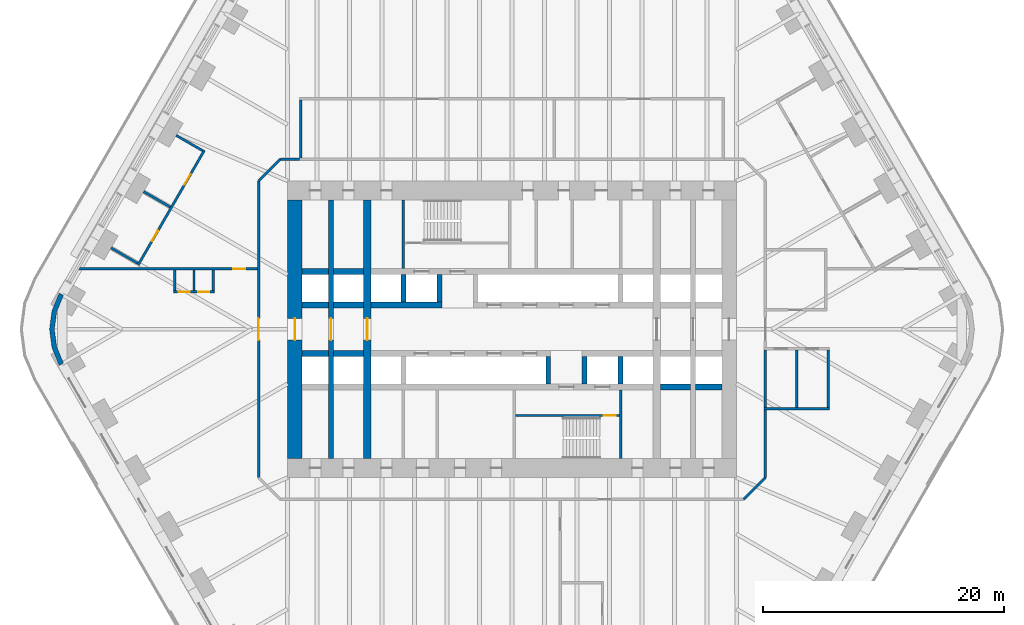
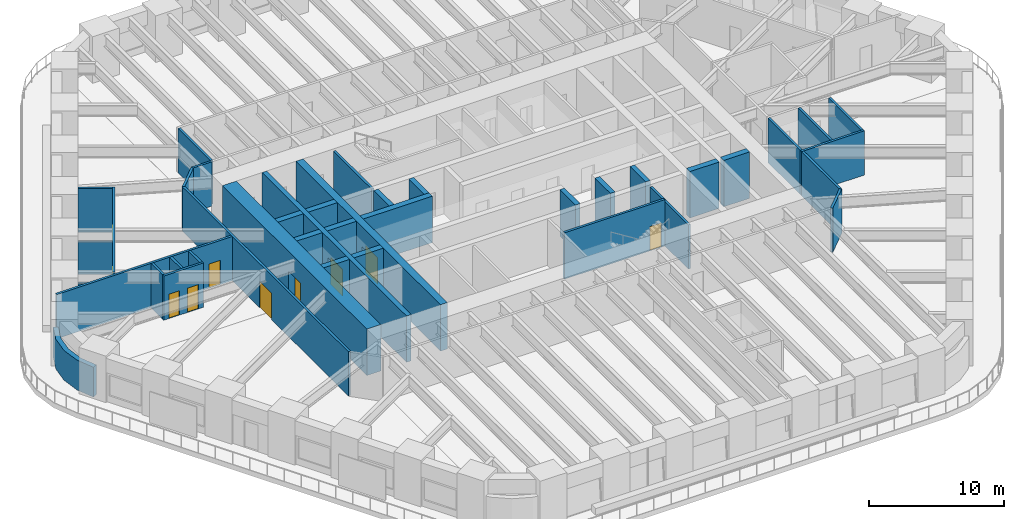
# One storey, part 17 of 23: 40 walls, 10 doors, 10 openings.
"""IFC4 building model written with IfcOpenShell, lengths in metres."""

from ifc_helpers import new_model, si_unit, direction, frame, frame_2d, origin, place, context, subcontext, project, spatial, polyline, rectangle, outline, extrude, material, layer, layer_set, type_object, element, fill, save


model = new_model("IFC4")

# Units and contexts
model_context = context("Model", 3, precision=1e-05, world=origin(), true_north=direction((0.0, 1.0)))
body_context = subcontext(model_context, "Body", "Model", "MODEL_VIEW")
ifc_project = project(units=[si_unit("LENGTHUNIT", "METRE"), si_unit("AREAUNIT", "SQUARE_METRE"), si_unit("VOLUMEUNIT", "CUBIC_METRE"), si_unit("PLANEANGLEUNIT", "RADIAN"), si_unit("MASSUNIT", "GRAM", prefix="KILO")], contexts=[model_context])

# Site, building, storey
site_placement = place(None, origin())
site = spatial("IfcSite", under=ifc_project, at=site_placement, CompositionType="ELEMENT")
building_placement = place(site_placement, origin())
building = spatial("IfcBuilding", under=site, at=building_placement, Name="Tarfa Lantern Tower", CompositionType="ELEMENT")
storey_placement = place(building_placement, frame((0.0, 0.0, 40.300048828125)))
storey = spatial("IfcBuildingStorey", under=building, at=storey_placement, Name="L08", CompositionType="ELEMENT", Elevation=40.300048828125)

# Walls
ifc_material_1 = material(Name="Limestone cladding on blockwork", Category="masonry")
ifc_layer_1 = layer(ifc_material_1, 0.39990234375)
ifc_layer_set_1 = layer_set([ifc_layer_1], Name="EW2 CURVED STONE CORNER 400")
wall_type_1 = type_object("IfcWallType", Name="EW2 CURVED STONE CORNER 400", PredefinedType="SOLIDWALL", material=ifc_layer_set_1)
wall_1_placement = place(storey_placement, origin())
element("IfcWall", 1, at=wall_1_placement, inside=storey, type_object=wall_type_1, Name="Stone corner NW-SW", PredefinedType="SOLIDWALL", context=body_context, shape_type="SweptSolid", body=[
    extrude(outline(polyline([(-37.52783203125, 3.0), (-38.127197265625, 1.552978515625), (-38.33154296875, 0.0), (-38.127197265625, -1.552978515625), (-37.52783203125, -3.0), (-37.181396484375, -2.800048828125), (-37.74072265625, -1.449462890625), (-37.931640625, 0.0), (-37.74072265625, 1.449462890625), (-37.181396484375, 2.800048828125), (-37.52783203125, 3.0)])), origin(), (0.0, 0.0, 1.0), 2.699951171875),
])
ifc_material_2 = material(Name="Concrete blockwork", Category="masonry")
ifc_layer_2 = layer(ifc_material_2, 0.199951171875)
ifc_layer_set_2 = layer_set([ifc_layer_2], Name="IW1 BLOCKWORK PARTITION 200 EI 120")
wall_type_2 = type_object("IfcWallType", Name="IW1 BLOCKWORK PARTITION 200 EI 120", PredefinedType="PARTITIONING", material=ifc_layer_set_2)
for number, where, z_axis, x_axis, name in (
    (2, (-9.0, 5.050048828125, 0.0), (0.0, 0.0, 1.0), (0.0, 1.0, 0.0), "Core partition"),
    (3, (9.0, -5.050048828125, 0.0), (0.0, 0.0, 1.0), (0.0, -1.0, 0.0), "Core partition"),
):
    element("IfcWall", number, at=place(storey_placement, frame(where, z_axis=z_axis, x_axis=x_axis)), inside=storey, type_object=wall_type_2, Name=name, PredefinedType="PARTITIONING", context=body_context, shape_type="SweptSolid", body=[
        extrude(rectangle(XDim=5.64990234375, YDim=0.199951171875, at=frame_2d((2.824951171875, 0.0))), origin(), (0.0, 0.0, 1.0), 4.0),
    ])
ifc_material_3 = material(Name="Gypsum board on steel studs", Category="steel")
ifc_layer_3 = layer(ifc_material_3, 0.2099609375)
ifc_layer_set_3 = layer_set([ifc_layer_3], Name="IW2 ACOUSTIC PARTITION 200")
wall_type_3 = type_object("IfcWallType", Name="IW2 ACOUSTIC PARTITION 200", PredefinedType="PARTITIONING", material=ifc_layer_set_3)
wall_2_placement = place(storey_placement, frame((-17.5, 14.199951171875, 0.0), z_axis=(0.0, 0.0, 1.0), x_axis=(0.0, 1.0, 0.0)))
element("IfcWall", 4, at=wall_2_placement, inside=storey, type_object=wall_type_3, Name="Partition", PredefinedType="PARTITIONING", context=body_context, shape_type="SweptSolid", body=[
    extrude(rectangle(XDim=4.800048828125, YDim=0.199951171875, at=frame_2d((2.39990234375, 0.0))), origin(), (0.0, 0.0, 1.0), 4.0),
])

# Wall, openings, doors
wall_3_placement = place(storey_placement, frame((-25.497802734375, 14.836669921875, 0.0), z_axis=(0.0, 0.0, 1.0), x_axis=(-0.499992624997, -0.866029661703, 0.0)))
wall_3 = element("IfcWall", 5, at=wall_3_placement, inside=storey, type_object=wall_type_3, Name="Partition", PredefinedType="PARTITIONING", context=body_context, shape_type="SweptSolid", body=[
    extrude(rectangle(XDim=10.977294921875, YDim=0.199951171875, at=frame_2d((5.48876953125, 0.0))), origin(), (0.0, 0.0, 1.0), 4.0),
])
opening_1_placement = place(wall_3_placement, frame((2.294189453125, 0.0, 0.0)))
opening_1 = element("IfcOpeningElement", 6, at=opening_1_placement, cuts=wall_3, Name="Opening D35", PredefinedType="OPENING", context=body_context, shape_type="SweptSolid", body=[
    extrude(rectangle(XDim=1.0, YDim=2.199951171875, at=frame_2d((0.5, 1.10009765625))), frame((0.0, 0.10986328125, 0.0), z_axis=(0.0, -1.0, 0.0), x_axis=(1.0, 0.0, 0.0)), (0.0, 0.0, 1.0), 0.219970703125),
])
opening_2_placement = place(wall_3_placement, frame((7.682861328125, 0.0, 0.0)))
opening_2 = element("IfcOpeningElement", 7, at=opening_2_placement, cuts=wall_3, Name="Opening D36", PredefinedType="OPENING", context=body_context, shape_type="SweptSolid", body=[
    extrude(rectangle(XDim=1.0, YDim=2.199951171875, at=frame_2d((0.5, 1.10009765625))), frame((0.0, 0.10986328125, 0.0), z_axis=(0.0, -1.0, 0.0), x_axis=(1.0, 0.0, 0.0)), (0.0, 0.0, 1.0), 0.219970703125),
])
ifc_material_4 = material(Name="Timber door", Category="wood")
door_type_1 = type_object("IfcDoorType", Name="DR1 ROOM DOOR 1000x2200", OperationType="SINGLE_SWING_LEFT", PredefinedType="DOOR", material=ifc_material_4)
door_1_placement = place(opening_1_placement, frame((1.0, 0.0, 0.0), z_axis=(0.0, 0.0, 1.0), x_axis=(-1.0, 0.0, 0.0)))
door_1 = element("IfcDoor", 8, at=door_1_placement, inside=storey, type_object=door_type_1, Name="Store door", OperationType="SINGLE_SWING_LEFT", OverallHeight=2.199951171875, OverallWidth=1.0, PredefinedType="DOOR", context=body_context, shape_type="SweptSolid", body=[
    extrude(rectangle(XDim=1.0, YDim=2.199951171875, at=frame_2d((0.5, 1.10009765625))), frame((0.0, 0.02490234375, 0.0), z_axis=(0.0, -1.0, 0.0), x_axis=(1.0, 0.0, 0.0)), (0.0, 0.0, 1.0), 0.050048828125),
])
fill(opening_1, door_1)
door_2_placement = place(opening_2_placement, frame((1.0, 0.0, 0.0), z_axis=(0.0, 0.0, 1.0), x_axis=(-1.0, 0.0, 0.0)))
door_2 = element("IfcDoor", 9, at=door_2_placement, inside=storey, type_object=door_type_1, Name="Print room door", OperationType="SINGLE_SWING_RIGHT", OverallHeight=2.199951171875, OverallWidth=1.0, PredefinedType="DOOR", context=body_context, shape_type="SweptSolid", body=[
    extrude(rectangle(XDim=1.0, YDim=2.199951171875, at=frame_2d((0.5, 1.10009765625))), frame((0.0, 0.02490234375, 0.0), z_axis=(0.0, -1.0, 0.0), x_axis=(1.0, 0.0, 0.0)), (0.0, 0.0, 1.0), 0.050048828125),
])
fill(opening_2, door_2)

# Walls
wall_4_placement = place(storey_placement, frame((-25.63427734375, 14.800048828125, 0.0), z_axis=(0.0, 0.0, 1.0), x_axis=(-0.866054858364, 0.499948979701, 0.0)))
element("IfcWall", 10, at=wall_4_placement, inside=storey, type_object=wall_type_3, Name="Partition", PredefinedType="PARTITIONING", context=body_context, shape_type="SweptSolid", body=[
    extrude(rectangle(XDim=2.550048828125, YDim=0.199951171875, at=frame_2d((1.27490234375, 0.0))), origin(), (0.0, 0.0, 1.0), 4.0),
])
wall_5_placement = place(storey_placement, frame((-28.32861328125, 10.13330078125, 0.0), z_axis=(0.0, 0.0, 1.0), x_axis=(-0.866013403995, 0.500020783669, 0.0)))
element("IfcWall", 11, at=wall_5_placement, inside=storey, type_object=wall_type_3, Name="Partition", PredefinedType="PARTITIONING", context=body_context, shape_type="SweptSolid", body=[
    extrude(rectangle(XDim=2.55029296875, YDim=0.199951171875, at=frame_2d((1.275146484375, 0.0))), origin(), (0.0, 0.0, 1.0), 2.94384765625),
])
wall_6_placement = place(storey_placement, frame((-31.02294921875, 5.466552734375, 0.0), z_axis=(0.0, 0.0, 1.0), x_axis=(-0.865989465428, 0.500062241894, 0.0)))
element("IfcWall", 12, at=wall_6_placement, inside=storey, type_object=wall_type_3, Name="Partition", PredefinedType="PARTITIONING", context=body_context, shape_type="SweptSolid", body=[
    extrude(rectangle(XDim=2.550048828125, YDim=0.199951171875, at=frame_2d((1.27490234375, 0.0))), origin(), (0.0, 0.0, 1.0), 2.94384765625),
])
wall_7_placement = place(storey_placement, frame((20.89990234375, -6.60009765625, 0.0), z_axis=(0.0, 0.0, 1.0), x_axis=(1.0, 0.0, 0.0)))
element("IfcWall", 13, at=wall_7_placement, inside=storey, type_object=wall_type_3, Name="Partition", PredefinedType="PARTITIONING", context=body_context, shape_type="SweptSolid", body=[
    extrude(rectangle(XDim=5.400146484375, YDim=0.199951171875, at=frame_2d((2.7001953125, 0.0))), origin(), (0.0, 0.0, 1.0), 4.0),
])
for number, where, z_axis, x_axis, name in (
    (14, (21.0, -1.699951171875, 0.0), (0.0, 0.0, 1.0), (0.0, -1.0, 0.0), "Partition"),
    (15, (23.60009765625, -1.699951171875, 0.0), (0.0, 0.0, 1.0), (0.0, -1.0, 0.0), "Partition"),
    (16, (26.199951171875, -1.699951171875, 0.0), (0.0, 0.0, 1.0), (0.0, -1.0, 0.0), "Partition"),
):
    element("IfcWall", number, at=place(storey_placement, frame(where, z_axis=z_axis, x_axis=x_axis)), inside=storey, type_object=wall_type_3, Name=name, PredefinedType="PARTITIONING", context=body_context, shape_type="SweptSolid", body=[
        extrude(rectangle(XDim=4.800048828125, YDim=0.199951171875, at=frame_2d((2.39990234375, 0.0))), origin(), (0.0, 0.0, 1.0), 4.0),
    ])
wall_8_placement = place(storey_placement, frame((-19.199951171875, 14.10009765625, 0.0), z_axis=(0.0, 0.0, 1.0), x_axis=(1.0, 0.0, 0.0)))
element("IfcWall", 17, at=wall_8_placement, inside=storey, type_object=wall_type_3, Name="Partition", PredefinedType="PARTITIONING", context=body_context, shape_type="SweptSolid", body=[
    extrude(rectangle(XDim=1.599853515625, YDim=0.199951171875, at=frame_2d((0.7998046875, 0.0))), origin(), (0.0, 0.0, 1.0), 4.0),
])
wall_9_placement = place(storey_placement, frame((21.0, -6.700927734375, 0.0), z_axis=(0.0, 0.0, 1.0), x_axis=(0.0, -1.0, 0.0)))
element("IfcWall", 18, at=wall_9_placement, inside=storey, type_object=wall_type_3, Name="Partition", PredefinedType="PARTITIONING", context=body_context, shape_type="SweptSolid", body=[
    extrude(rectangle(XDim=5.59912109375, YDim=0.199951171875, at=frame_2d((2.799560546875, 0.0))), origin(), (0.0, 0.0, 1.0), 4.0),
])
wall_10_placement = place(storey_placement, frame((21.0, -12.300048828125, 0.0), z_axis=(0.0, 0.0, 1.0), x_axis=(-0.707106781187, -0.707106781187, 0.0)))
element("IfcWall", 19, at=wall_10_placement, inside=storey, type_object=wall_type_3, Name="Partition", PredefinedType="PARTITIONING", context=body_context, shape_type="SweptSolid", body=[
    extrude(rectangle(XDim=2.545654296875, YDim=0.199951171875, at=frame_2d((1.27294921875, 0.0))), origin(), (0.0, 0.0, 1.0), 4.0),
])

# Wall, opening, door
wall_11_placement = place(storey_placement, frame((-21.0, -12.300048828125, 0.0), z_axis=(0.0, 0.0, 1.0), x_axis=(0.0, 1.0, 0.0)))
wall_11 = element("IfcWall", 20, at=wall_11_placement, inside=storey, type_object=wall_type_3, Name="Partition", PredefinedType="PARTITIONING", context=body_context, shape_type="SweptSolid", body=[
    extrude(rectangle(XDim=24.60009765625, YDim=0.199951171875, at=frame_2d((12.300048828125, 0.0))), origin(), (0.0, 0.0, 1.0), 4.0),
])
opening_3_placement = place(wall_11_placement, frame((11.39990234375, 0.0, 0.0)))
opening_3 = element("IfcOpeningElement", 21, at=opening_3_placement, cuts=wall_11, Name="Opening D45", PredefinedType="OPENING", context=body_context, shape_type="SweptSolid", body=[
    extrude(rectangle(XDim=1.800048828125, YDim=2.39990234375, at=frame_2d((0.89990234375, 1.199951171875))), frame((0.0, 0.10986328125, 0.0), z_axis=(0.0, -1.0, 0.0), x_axis=(1.0, 0.0, 0.0)), (0.0, 0.0, 1.0), 0.219970703125),
])
door_type_2 = type_object("IfcDoorType", Name="DR2 ROOM DOOR 1800x2400", OperationType="DOUBLE_DOOR_SINGLE_SWING", PredefinedType="DOOR", material=ifc_material_4)
door_3_placement = place(opening_3_placement, origin())
door_3 = element("IfcDoor", 22, at=door_3_placement, inside=storey, type_object=door_type_2, Name="Corridor door", OperationType="DOUBLE_DOOR_SINGLE_SWING", OverallHeight=2.39990234375, OverallWidth=1.800048828125, PredefinedType="DOOR", context=body_context, shape_type="SweptSolid", body=[
    extrude(rectangle(XDim=1.800048828125, YDim=2.39990234375, at=frame_2d((0.89990234375, 1.199951171875))), frame((0.0, 0.02490234375, 0.0), z_axis=(0.0, -1.0, 0.0), x_axis=(1.0, 0.0, 0.0)), (0.0, 0.0, 1.0), 0.050048828125),
])
fill(opening_3, door_3)

# Wall
wall_12_placement = place(storey_placement, frame((-21.0, 12.300048828125, 0.0), z_axis=(0.0, 0.0, 1.0), x_axis=(0.707106781187, 0.707106781187, 0.0)))
element("IfcWall", 23, at=wall_12_placement, inside=storey, type_object=wall_type_3, Name="Partition", PredefinedType="PARTITIONING", context=body_context, shape_type="SweptSolid", body=[
    extrude(rectangle(XDim=2.545654296875, YDim=0.199951171875, at=frame_2d((1.27294921875, 0.0))), origin(), (0.0, 0.0, 1.0), 4.0),
])

# Wall, opening, door
wall_13_placement = place(storey_placement, frame((-21.10009765625, 5.0, 0.0), z_axis=(0.0, 0.0, 1.0), x_axis=(-1.0, 0.0, 0.0)))
wall_13 = element("IfcWall", 24, at=wall_13_placement, inside=storey, type_object=wall_type_3, Name="Partition", PredefinedType="PARTITIONING", context=body_context, shape_type="SweptSolid", body=[
    extrude(rectangle(XDim=15.018798828125, YDim=0.199951171875, at=frame_2d((7.50927734375, 0.0))), origin(), (0.0, 0.0, 1.0), 4.0),
])
opening_4_placement = place(wall_13_placement, frame((1.001953125, 0.0, 0.0)))
opening_4 = element("IfcOpeningElement", 25, at=opening_4_placement, cuts=wall_13, Name="Opening D48", PredefinedType="OPENING", context=body_context, shape_type="SweptSolid", body=[
    extrude(rectangle(XDim=1.0, YDim=2.199951171875, at=frame_2d((0.5, 1.10009765625))), frame((0.0, 0.10986328125, 0.0), z_axis=(0.0, -1.0, 0.0), x_axis=(1.0, 0.0, 0.0)), (0.0, 0.0, 1.0), 0.219970703125),
])
door_4_placement = place(opening_4_placement, origin())
door_4 = element("IfcDoor", 26, at=door_4_placement, inside=storey, type_object=door_type_1, Name="Zone door", OperationType="SINGLE_SWING_RIGHT", OverallHeight=2.199951171875, OverallWidth=1.0, PredefinedType="DOOR", context=body_context, shape_type="SweptSolid", body=[
    extrude(rectangle(XDim=1.0, YDim=2.199951171875, at=frame_2d((0.5, 1.10009765625))), frame((0.0, 0.02490234375, 0.0), z_axis=(0.0, -1.0, 0.0), x_axis=(1.0, 0.0, 0.0)), (0.0, 0.0, 1.0), 0.050048828125),
])
fill(opening_4, door_4)

# Wall, openings, doors
wall_14_placement = place(storey_placement, frame((-24.65673828125, 3.10009765625, 0.0), z_axis=(0.0, 0.0, 1.0), x_axis=(-1.0, 0.0, 0.0)))
wall_14 = element("IfcWall", 27, at=wall_14_placement, inside=storey, type_object=wall_type_3, Name="Partition", PredefinedType="PARTITIONING", context=body_context, shape_type="SweptSolid", body=[
    extrude(rectangle(XDim=3.39990234375, YDim=0.199951171875, at=frame_2d((1.699951171875, 0.0))), origin(), (0.0, 0.0, 1.0), 4.0),
])
opening_5_placement = place(wall_14_placement, frame((0.449951171875, 0.0, 0.0)))
opening_5 = element("IfcOpeningElement", 28, at=opening_5_placement, cuts=wall_14, Name="Opening D41", PredefinedType="OPENING", context=body_context, shape_type="SweptSolid", body=[
    extrude(rectangle(XDim=0.89990234375, YDim=2.199951171875, at=frame_2d((0.449951171875, 1.10009765625))), frame((0.0, 0.10986328125, 0.0), z_axis=(0.0, -1.0, 0.0), x_axis=(1.0, 0.0, 0.0)), (0.0, 0.0, 1.0), 0.219970703125),
])
opening_6_placement = place(wall_14_placement, frame((2.050048828125, 0.0, 0.0)))
opening_6 = element("IfcOpeningElement", 29, at=opening_6_placement, cuts=wall_14, Name="Opening D42", PredefinedType="OPENING", context=body_context, shape_type="SweptSolid", body=[
    extrude(rectangle(XDim=0.89990234375, YDim=2.199951171875, at=frame_2d((0.449951171875, 1.10009765625))), frame((0.0, 0.10986328125, 0.0), z_axis=(0.0, -1.0, 0.0), x_axis=(1.0, 0.0, 0.0)), (0.0, 0.0, 1.0), 0.219970703125),
])
door_type_3 = type_object("IfcDoorType", Name="DR3 ROOM DOOR 900x2200", OperationType="SINGLE_SWING_LEFT", PredefinedType="DOOR", material=ifc_material_4)
door_5_placement = place(opening_5_placement, frame((0.89990234375, 0.0, 0.0), z_axis=(0.0, 0.0, 1.0), x_axis=(-1.0, 0.0, 0.0)))
door_5 = element("IfcDoor", 30, at=door_5_placement, inside=storey, type_object=door_type_3, Name="Phone booth door", OperationType="SINGLE_SWING_LEFT", OverallHeight=2.199951171875, OverallWidth=0.89990234375, PredefinedType="DOOR", context=body_context, shape_type="SweptSolid", body=[
    extrude(rectangle(XDim=0.89990234375, YDim=2.199951171875, at=frame_2d((0.449951171875, 1.10009765625))), frame((0.0, 0.02490234375, 0.0), z_axis=(0.0, -1.0, 0.0), x_axis=(1.0, 0.0, 0.0)), (0.0, 0.0, 1.0), 0.050048828125),
])
fill(opening_5, door_5)
door_6_placement = place(opening_6_placement, frame((0.89990234375, 0.0, 0.0), z_axis=(0.0, 0.0, 1.0), x_axis=(-1.0, 0.0, 0.0)))
door_6 = element("IfcDoor", 31, at=door_6_placement, inside=storey, type_object=door_type_3, Name="Phone booth door", OperationType="SINGLE_SWING_RIGHT", OverallHeight=2.199951171875, OverallWidth=0.89990234375, PredefinedType="DOOR", context=body_context, shape_type="SweptSolid", body=[
    extrude(rectangle(XDim=0.89990234375, YDim=2.199951171875, at=frame_2d((0.449951171875, 1.10009765625))), frame((0.0, 0.02490234375, 0.0), z_axis=(0.0, -1.0, 0.0), x_axis=(1.0, 0.0, 0.0)), (0.0, 0.0, 1.0), 0.050048828125),
])
fill(opening_6, door_6)

# Walls
for number, where, z_axis, x_axis, name in (
    (32, (-24.756591796875, 4.89990234375, 0.0), (0.0, 0.0, 1.0), (0.0, -1.0, 0.0), "Partition"),
    (33, (-26.356689453125, 4.89990234375, 0.0), (0.0, 0.0, 1.0), (0.0, -1.0, 0.0), "Partition"),
    (34, (-27.95654296875, 4.89990234375, 0.0), (0.0, 0.0, 1.0), (0.0, -1.0, 0.0), "Partition"),
):
    element("IfcWall", number, at=place(storey_placement, frame(where, z_axis=z_axis, x_axis=x_axis)), inside=storey, type_object=wall_type_3, Name=name, PredefinedType="PARTITIONING", context=body_context, shape_type="SweptSolid", body=[
        extrude(rectangle(XDim=1.699951171875, YDim=0.199951171875, at=frame_2d((0.85009765625, 0.0))), origin(), (0.0, 0.0, 1.0), 4.0),
    ])

# Wall, opening, door
ifc_material_5 = material(Name="Concrete C80/95", Category="concrete")
ifc_layer_4 = layer(ifc_material_5, 1.199951171875)
ifc_layer_set_4 = layer_set([ifc_layer_4], Name="SW1 CORE WALL 1200")
wall_type_4 = type_object("IfcWallType", Name="SW1 CORE WALL 1200", PredefinedType="SHEAR", material=ifc_layer_set_4)
wall_15_placement = place(storey_placement, frame((-18.0, 10.699951171875, 0.0), z_axis=(0.0, 0.0, 1.0), x_axis=(0.0, -1.0, 0.0)))
wall_15 = element("IfcWall", 35, at=wall_15_placement, inside=storey, type_object=wall_type_4, Name="Core wall W", PredefinedType="SHEAR", context=body_context, shape_type="SweptSolid", body=[
    extrude(rectangle(XDim=21.39990234375, YDim=1.199951171875, at=frame_2d((10.699951171875, 0.0))), origin(), (0.0, 0.0, 1.0), 4.199951171875),
])
opening_7_placement = place(wall_15_placement, frame((9.800048828125, 0.0, 0.0)))
opening_7 = element("IfcOpeningElement", 36, at=opening_7_placement, cuts=wall_15, Name="Opening D16", PredefinedType="OPENING", context=body_context, shape_type="SweptSolid", body=[
    extrude(rectangle(XDim=1.800048828125, YDim=2.39990234375, at=frame_2d((0.89990234375, 1.199951171875))), frame((0.0, 0.60986328125, 0.0), z_axis=(0.0, -1.0, 0.0), x_axis=(1.0, 0.0, 0.0)), (0.0, 0.0, 1.0), 1.219970703125),
])
ifc_material_6 = material(Name="Steel fire door", Category="steel")
door_type_4 = type_object("IfcDoorType", Name="DL1 LOBBY DOOR 1800x2400", OperationType="DOUBLE_DOOR_SINGLE_SWING", PredefinedType="DOOR", material=ifc_material_6)
door_7_placement = place(opening_7_placement, frame((1.800048828125, 0.0, 0.0), z_axis=(0.0, 0.0, 1.0), x_axis=(-1.0, 0.0, 0.0)))
door_7 = element("IfcDoor", 37, at=door_7_placement, inside=storey, type_object=door_type_4, Name="Lift lobby door", OperationType="DOUBLE_DOOR_SINGLE_SWING", OverallHeight=2.39990234375, OverallWidth=1.800048828125, PredefinedType="DOOR", context=body_context, shape_type="SweptSolid", body=[
    extrude(rectangle(XDim=1.800048828125, YDim=2.39990234375, at=frame_2d((0.89990234375, 1.199951171875))), frame((0.0, 0.02490234375, 0.0), z_axis=(0.0, -1.0, 0.0), x_axis=(1.0, 0.0, 0.0)), (0.0, 0.0, 1.0), 0.050048828125),
])
fill(opening_7, door_7)

ifc_layer_5 = layer(ifc_material_5, 0.199951171875)
ifc_layer_set_5 = layer_set([ifc_layer_5], Name="SW12 CORE WALL 200")
wall_type_5 = type_object("IfcWallType", Name="SW12 CORE WALL 200", PredefinedType="SHEAR", material=ifc_layer_set_5)
wall_16_placement = place(storey_placement, frame((8.89990234375, -7.14990234375, 0.0), z_axis=(0.0, 0.0, 1.0), x_axis=(-1.0, 0.0, 0.0)))
wall_16 = element("IfcWall", 38, at=wall_16_placement, inside=storey, type_object=wall_type_5, Name="Core wall stair partition S", PredefinedType="SHEAR", context=body_context, shape_type="SweptSolid", body=[
    extrude(rectangle(XDim=8.599853515625, YDim=0.199951171875, at=frame_2d((4.2998046875, 0.0))), origin(), (0.0, 0.0, 1.0), 4.199951171875),
])
opening_8_placement = place(wall_16_placement, frame((0.300048828125, 0.0, 0.0)))
opening_8 = element("IfcOpeningElement", 39, at=opening_8_placement, cuts=wall_16, Name="Opening D24", PredefinedType="OPENING", context=body_context, shape_type="SweptSolid", body=[
    extrude(rectangle(XDim=1.0, YDim=2.199951171875, at=frame_2d((0.5, 1.10009765625))), frame((0.0, 0.10986328125, 0.0), z_axis=(0.0, -1.0, 0.0), x_axis=(1.0, 0.0, 0.0)), (0.0, 0.0, 1.0), 0.219970703125),
])
door_type_5 = type_object("IfcDoorType", Name="DF2 STAIR DOOR 1000x2200", OperationType="SINGLE_SWING_LEFT", PredefinedType="DOOR", material=ifc_material_6)
door_8_placement = place(opening_8_placement, origin())
door_8 = element("IfcDoor", 40, at=door_8_placement, inside=storey, type_object=door_type_5, Name="Stair door", OperationType="SINGLE_SWING_RIGHT", OverallHeight=2.199951171875, OverallWidth=1.0, PredefinedType="DOOR", context=body_context, shape_type="SweptSolid", body=[
    extrude(rectangle(XDim=1.0, YDim=2.199951171875, at=frame_2d((0.5, 1.10009765625))), frame((0.0, 0.02490234375, 0.0), z_axis=(0.0, -1.0, 0.0), x_axis=(1.0, 0.0, 0.0)), (0.0, 0.0, 1.0), 0.050048828125),
])
fill(opening_8, door_8)

# Walls
ifc_layer_6 = layer(ifc_material_5, 0.5)
ifc_layer_set_6 = layer_set([ifc_layer_6], Name="SW5 CORE WALL 500")
wall_type_6 = type_object("IfcWallType", Name="SW5 CORE WALL 500", PredefinedType="SHEAR", material=ifc_layer_set_6)
wall_17_placement = place(storey_placement, frame((-17.39990234375, 2.0, 0.0), z_axis=(0.0, 0.0, 1.0), x_axis=(1.0, 0.0, 0.0)))
element("IfcWall", 41, at=wall_17_placement, inside=storey, type_object=wall_type_6, Name="Core wall lobby west N", PredefinedType="SHEAR", context=body_context, shape_type="SweptSolid", body=[
    extrude(rectangle(XDim=2.199951171875, YDim=0.5, at=frame_2d((1.10009765625, 0.0))), origin(), (0.0, 0.0, 1.0), 4.199951171875),
])
wall_18_placement = place(storey_placement, frame((-14.800048828125, 2.0, 0.0), z_axis=(0.0, 0.0, 1.0), x_axis=(1.0, 0.0, 0.0)))
element("IfcWall", 42, at=wall_18_placement, inside=storey, type_object=wall_type_6, Name="Core wall lobby west N", PredefinedType="SHEAR", context=body_context, shape_type="SweptSolid", body=[
    extrude(rectangle(XDim=2.5, YDim=0.5, at=frame_2d((1.25, 0.0))), origin(), (0.0, 0.0, 1.0), 4.199951171875),
])
wall_19_placement = place(storey_placement, frame((-11.699951171875, 2.0, 0.0), z_axis=(0.0, 0.0, 1.0), x_axis=(1.0, 0.0, 0.0)))
element("IfcWall", 43, at=wall_19_placement, inside=storey, type_object=wall_type_6, Name="Core wall lobby west N", PredefinedType="SHEAR", context=body_context, shape_type="SweptSolid", body=[
    extrude(rectangle(XDim=5.89990234375, YDim=0.5, at=frame_2d((2.949951171875, 0.0))), origin(), (0.0, 0.0, 1.0), 4.199951171875),
])
wall_20_placement = place(storey_placement, frame((-17.39990234375, 4.800048828125, 0.0), z_axis=(0.0, 0.0, 1.0), x_axis=(1.0, 0.0, 0.0)))
element("IfcWall", 44, at=wall_20_placement, inside=storey, type_object=wall_type_6, Name="Core wall rear N", PredefinedType="SHEAR", context=body_context, shape_type="SweptSolid", body=[
    extrude(rectangle(XDim=2.199951171875, YDim=0.5, at=frame_2d((1.10009765625, 0.0))), origin(), (0.0, 0.0, 1.0), 4.199951171875),
])
for number, where, z_axis, x_axis, name in (
    (45, (-14.800048828125, 4.800048828125, 0.0), (0.0, 0.0, 1.0), (1.0, 0.0, 0.0), "Core wall rear N"),
    (46, (-12.300048828125, -2.0, 0.0), (0.0, 0.0, 1.0), (-1.0, 0.0, 0.0), "Core wall lobby east S"),
):
    element("IfcWall", number, at=place(storey_placement, frame(where, z_axis=z_axis, x_axis=x_axis)), inside=storey, type_object=wall_type_6, Name=name, PredefinedType="SHEAR", context=body_context, shape_type="SweptSolid", body=[
        extrude(rectangle(XDim=2.5, YDim=0.5, at=frame_2d((1.25, 0.0))), origin(), (0.0, 0.0, 1.0), 4.199951171875),
    ])
for number, where, z_axis, x_axis, name in (
    (47, (-15.199951171875, -2.0, 0.0), (0.0, 0.0, 1.0), (-1.0, 0.0, 0.0), "Core wall lobby east S"),
    (48, (17.39990234375, -4.800048828125, 0.0), (0.0, 0.0, 1.0), (-1.0, 0.0, 0.0), "Core wall rear S"),
):
    element("IfcWall", number, at=place(storey_placement, frame(where, z_axis=z_axis, x_axis=x_axis)), inside=storey, type_object=wall_type_6, Name=name, PredefinedType="SHEAR", context=body_context, shape_type="SweptSolid", body=[
        extrude(rectangle(XDim=2.199951171875, YDim=0.5, at=frame_2d((1.10009765625, 0.0))), origin(), (0.0, 0.0, 1.0), 4.199951171875),
    ])
wall_21_placement = place(storey_placement, frame((14.800048828125, -4.800048828125, 0.0), z_axis=(0.0, 0.0, 1.0), x_axis=(-1.0, 0.0, 0.0)))
element("IfcWall", 49, at=wall_21_placement, inside=storey, type_object=wall_type_6, Name="Core wall rear S", PredefinedType="SHEAR", context=body_context, shape_type="SweptSolid", body=[
    extrude(rectangle(XDim=2.5, YDim=0.5, at=frame_2d((1.25, 0.0))), origin(), (0.0, 0.0, 1.0), 4.199951171875),
])

# Wall, opening, door
ifc_layer_7 = layer(ifc_material_5, 0.39990234375)
ifc_layer_set_7 = layer_set([ifc_layer_7], Name="SW6 CORE WALL 400")
wall_type_7 = type_object("IfcWallType", Name="SW6 CORE WALL 400", PredefinedType="SHEAR", material=ifc_layer_set_7)
wall_22_placement = place(storey_placement, frame((-15.0, -10.699951171875, 0.0), z_axis=(0.0, 0.0, 1.0), x_axis=(0.0, 1.0, 0.0)))
wall_22 = element("IfcWall", 50, at=wall_22_placement, inside=storey, type_object=wall_type_7, Name="Core wall cross 15 m west", PredefinedType="SHEAR", context=body_context, shape_type="SweptSolid", body=[
    extrude(rectangle(XDim=21.39990234375, YDim=0.39990234375, at=frame_2d((10.699951171875, 0.0))), origin(), (0.0, 0.0, 1.0), 4.199951171875),
])
opening_9_placement = place(wall_22_placement, frame((9.800048828125, 0.0, 0.0)))
opening_9 = element("IfcOpeningElement", 51, at=opening_9_placement, cuts=wall_22, Name="Opening D28", PredefinedType="OPENING", context=body_context, shape_type="SweptSolid", body=[
    extrude(rectangle(XDim=1.800048828125, YDim=2.39990234375, at=frame_2d((0.89990234375, 1.199951171875))), frame((0.0, 0.2099609375, 0.0), z_axis=(0.0, -1.0, 0.0), x_axis=(1.0, 0.0, 0.0)), (0.0, 0.0, 1.0), 0.419921875),
])
door_9_placement = place(opening_9_placement, origin())
door_9 = element("IfcDoor", 52, at=door_9_placement, inside=storey, type_object=door_type_4, Name="Lift lobby door", OperationType="DOUBLE_DOOR_SINGLE_SWING", OverallHeight=2.39990234375, OverallWidth=1.800048828125, PredefinedType="DOOR", context=body_context, shape_type="SweptSolid", body=[
    extrude(rectangle(XDim=1.800048828125, YDim=2.39990234375, at=frame_2d((0.89990234375, 1.199951171875))), frame((0.0, 0.02490234375, 0.0), z_axis=(0.0, -1.0, 0.0), x_axis=(1.0, 0.0, 0.0)), (0.0, 0.0, 1.0), 0.050048828125),
])
fill(opening_9, door_9)

# Walls
for number, where, z_axis, x_axis, name in (
    (53, (-9.0, 2.25, 0.0), (0.0, 0.0, 1.0), (0.0, 1.0, 0.0), "Core wall divider N"),
    (54, (-6.0, 2.25, 0.0), (0.0, 0.0, 1.0), (0.0, 1.0, 0.0), "Core wall divider N"),
    (55, (9.0, -2.25, 0.0), (0.0, 0.0, 1.0), (0.0, -1.0, 0.0), "Core wall divider S"),
    (56, (6.0, -2.25, 0.0), (0.0, 0.0, 1.0), (0.0, -1.0, 0.0), "Core wall divider S"),
    (57, (3.0, -2.25, 0.0), (0.0, 0.0, 1.0), (0.0, -1.0, 0.0), "Core wall divider S"),
):
    element("IfcWall", number, at=place(storey_placement, frame(where, z_axis=z_axis, x_axis=x_axis)), inside=storey, type_object=wall_type_7, Name=name, PredefinedType="SHEAR", context=body_context, shape_type="SweptSolid", body=[
        extrude(rectangle(XDim=2.300048828125, YDim=0.39990234375, at=frame_2d((1.14990234375, 0.0))), origin(), (0.0, 0.0, 1.0), 4.199951171875),
    ])

# Wall, opening, door
ifc_layer_8 = layer(ifc_material_5, 0.60009765625)
ifc_layer_set_8 = layer_set([ifc_layer_8], Name="SW9 CORE WALL 600")
wall_type_8 = type_object("IfcWallType", Name="SW9 CORE WALL 600", PredefinedType="SHEAR", material=ifc_layer_set_8)
wall_23_placement = place(storey_placement, frame((-12.0, -10.699951171875, 0.0), z_axis=(0.0, 0.0, 1.0), x_axis=(0.0, 1.0, 0.0)))
wall_23 = element("IfcWall", 58, at=wall_23_placement, inside=storey, type_object=wall_type_8, Name="Core wall cross 12 m west", PredefinedType="SHEAR", context=body_context, shape_type="SweptSolid", body=[
    extrude(rectangle(XDim=21.39990234375, YDim=0.60009765625, at=frame_2d((10.699951171875, 0.0))), origin(), (0.0, 0.0, 1.0), 4.199951171875),
])
opening_10_placement = place(wall_23_placement, frame((9.800048828125, 0.0, 0.0)))
opening_10 = element("IfcOpeningElement", 59, at=opening_10_placement, cuts=wall_23, Name="Opening D27", PredefinedType="OPENING", context=body_context, shape_type="SweptSolid", body=[
    extrude(rectangle(XDim=1.800048828125, YDim=2.39990234375, at=frame_2d((0.89990234375, 1.199951171875))), frame((0.0, 0.31005859375, 0.0), z_axis=(0.0, -1.0, 0.0), x_axis=(1.0, 0.0, 0.0)), (0.0, 0.0, 1.0), 0.6201171875),
])
door_10_placement = place(opening_10_placement, origin())
door_10 = element("IfcDoor", 60, at=door_10_placement, inside=storey, type_object=door_type_4, Name="Lift lobby door", OperationType="DOUBLE_DOOR_SINGLE_SWING", OverallHeight=2.39990234375, OverallWidth=1.800048828125, PredefinedType="DOOR", context=body_context, shape_type="SweptSolid", body=[
    extrude(rectangle(XDim=1.800048828125, YDim=2.39990234375, at=frame_2d((0.89990234375, 1.199951171875))), frame((0.0, 0.02490234375, 0.0), z_axis=(0.0, -1.0, 0.0), x_axis=(1.0, 0.0, 0.0)), (0.0, 0.0, 1.0), 0.050048828125),
])
fill(opening_10, door_10)

save(model, "model.ifc")
